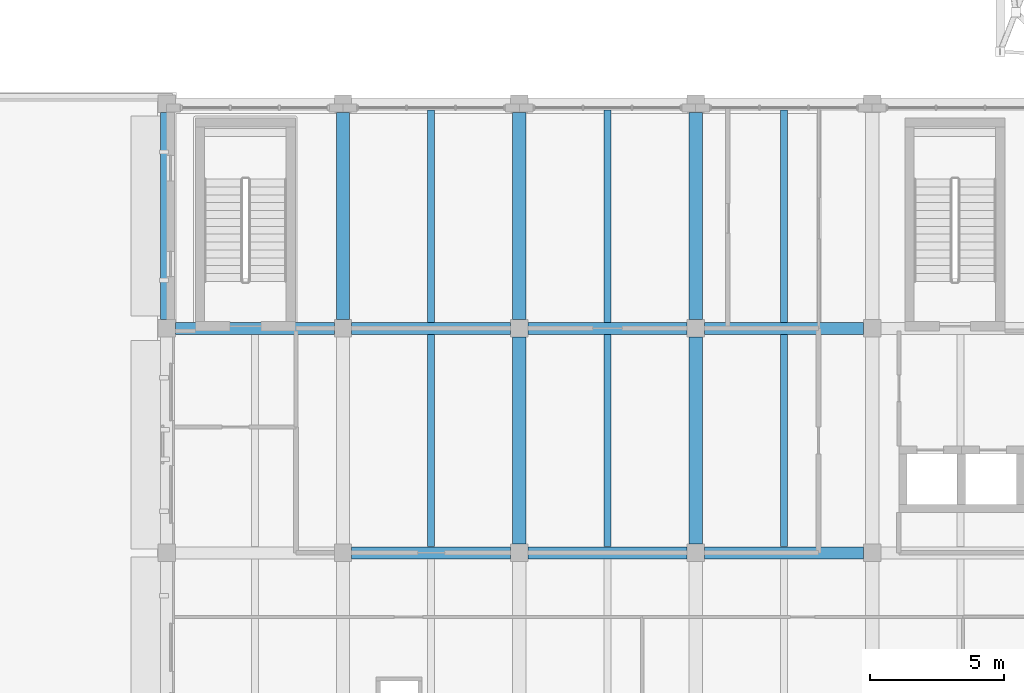
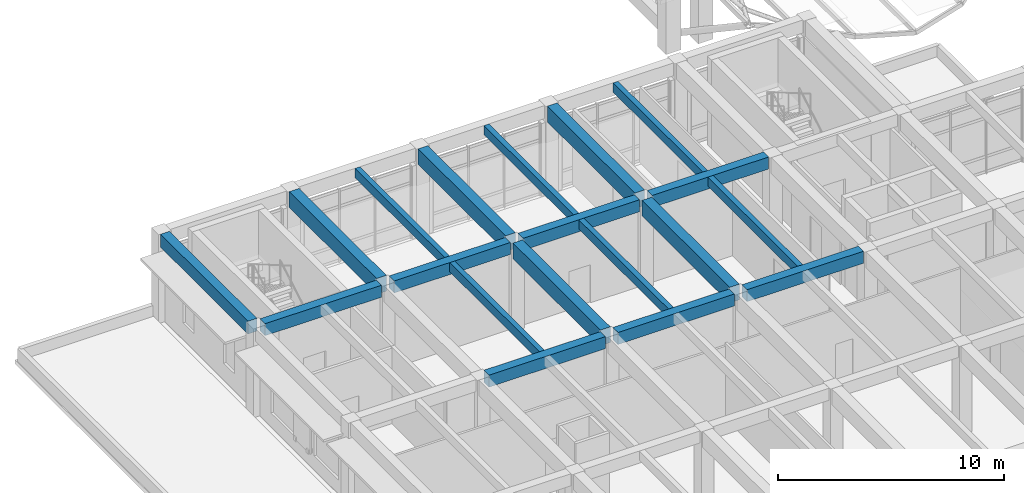
# One storey, part 7 of 79: 19 beams.
"""IFC4 building model written with IfcOpenShell, lengths in metres."""

import ifcopenshell
import ifcopenshell.guid

model = None  # the IFC model being written
_history = None  # IfcOwnerHistory: only IFC2X3 demands one
_inside = {}  # id of a spatial element -> (the spatial element, [elements in it])
_under = {}  # id of a project, library or spatial element -> (it, [spatial elements below it])
_declared = {}  # id of a project -> (the project, [libraries it declares])
_typed = {}  # id of a type object -> (the type object, [elements of that type])
_made_of = {}  # id of a material, layer set ... -> (it, [elements and type objects made of it])


def new_model(schema):
    """Start an empty IFC model of exactly this schema.

    Asked for "IFC4X3", IfcOpenShell would pick the latest addendum, in which some entities
    have other attributes; the version numbers below select the first issue.
    IFC2X3 requires an IfcOwnerHistory on every rooted entity: one is made here for all.
    """
    global model, _history
    if schema == "IFC4X3":
        model = ifcopenshell.file(schema_version=(4, 3, 0, 0))
    else:
        model = ifcopenshell.file(schema=schema)
    _inside.clear()
    _under.clear()
    _declared.clear()
    _typed.clear()
    _made_of.clear()
    _history = None
    if model.schema == "IFC2X3":
        org = make("IfcOrganization", Name="unknown")
        user = make(
            "IfcPersonAndOrganization",
            ThePerson=make("IfcPerson", FamilyName="unknown"),
            TheOrganization=org,
        )
        app = make(
            "IfcApplication",
            ApplicationDeveloper=org,
            Version="unknown",
            ApplicationFullName="unknown",
            ApplicationIdentifier="unknown",
        )
        _history = make(
            "IfcOwnerHistory",
            OwningUser=user,
            OwningApplication=app,
            ChangeAction="ADDED",
            CreationDate=0,
        )
    return model


def make(cls, **values):
    """One entity of the class cls with the attributes given. An attribute that is None is left unset."""
    return model.create_entity(
        cls, **{name: value for name, value in values.items() if value is not None}
    )


def rooted(cls, **values):
    """An entity with a GlobalId (a new one), such as an element, a storey or a relation."""
    return make(cls, GlobalId=ifcopenshell.guid.new(), OwnerHistory=_history, **values)


def si_unit(unit_type, name, prefix=None):
    """IfcSIUnit, for example si_unit("LENGTHUNIT", "METRE", prefix="MILLI")."""
    return make("IfcSIUnit", UnitType=unit_type, Prefix=prefix, Name=name)


def assignment(units):
    """IfcUnitAssignment: the units of a project."""
    return None if units is None else make("IfcUnitAssignment", Units=units)


def point(xyz):
    """IfcCartesianPoint."""
    return None if xyz is None else make("IfcCartesianPoint", Coordinates=xyz)


def direction(xyz):
    """IfcDirection."""
    return None if xyz is None else make("IfcDirection", DirectionRatios=xyz)


def frame(location, z_axis=None, x_axis=None):
    """IfcAxis2Placement3D, a coordinate frame: its origin and axes. An axis left out is left unset."""
    return make(
        "IfcAxis2Placement3D",
        Location=point(location),
        Axis=direction(z_axis),
        RefDirection=direction(x_axis),
    )


def frame_2d(location, x_axis=None):
    """IfcAxis2Placement2D, a coordinate frame in the plane: its origin and x axis."""
    return make(
        "IfcAxis2Placement2D", Location=point(location), RefDirection=direction(x_axis)
    )


def origin():
    """The frame at (0, 0, 0) with its axes left unset."""
    return frame((0.0, 0.0, 0.0))


def origin_2d():
    """The frame at (0, 0) in the plane with its x axis left unset."""
    return frame_2d((0.0, 0.0))


def place(relative_to, where):
    """IfcLocalPlacement: puts the frame where relative to a parent placement (None: the world)."""
    return make(
        "IfcLocalPlacement", PlacementRelTo=relative_to, RelativePlacement=where
    )


def context(
    kind, dimensions, precision=None, world=None, true_north=None, identifier=None
):
    """IfcGeometricRepresentationContext, for example the 3D "Model" context."""
    return make(
        "IfcGeometricRepresentationContext",
        ContextIdentifier=identifier,
        ContextType=kind,
        CoordinateSpaceDimension=dimensions,
        Precision=precision,
        WorldCoordinateSystem=world,
        TrueNorth=true_north,
    )


def subcontext(parent, identifier, kind, view, scale=None):
    """IfcGeometricRepresentationSubContext, for example "Body" below "Model"."""
    return make(
        "IfcGeometricRepresentationSubContext",
        ContextIdentifier=identifier,
        ContextType=kind,
        ParentContext=parent,
        TargetScale=scale,
        TargetView=view,
    )


def project(units=None, contexts=None):
    """IfcProject with its units and contexts."""
    return rooted(
        "IfcProject",
        Name="project",
        RepresentationContexts=contexts,
        UnitsInContext=assignment(units),
    )


def spatial(cls, under=None, at=None, **own):
    """A site, building, storey or space (cls), placed at a placement, below another one or the project."""
    s = rooted(cls, ObjectPlacement=at, **own)
    if under is not None:
        _under.setdefault(under.id(), (under, []))[1].append(s)
    return s


def profile(cls, at=None, kind="AREA", **sizes):
    """A parametric profile (cls). Its sizes go by their IFC names, for example OverallWidth=200.0."""
    return make(cls, ProfileType=kind, Position=at, **sizes)


def rectangle(**sizes):
    """IfcRectangleProfileDef."""
    return profile("IfcRectangleProfileDef", **sizes)


def extrude(swept, where, along, depth):
    """IfcExtrudedAreaSolid: the profile swept, set in the frame where, extruded along a direction by depth."""
    return make(
        "IfcExtrudedAreaSolid",
        SweptArea=swept,
        Position=where,
        ExtrudedDirection=direction(along),
        Depth=depth,
    )


def shape(context_of_items, identifier, shape_type, items):
    """IfcShapeRepresentation: the items that make up one representation, for example the "Body"."""
    return make(
        "IfcShapeRepresentation",
        ContextOfItems=context_of_items,
        RepresentationIdentifier=identifier,
        RepresentationType=shape_type,
        Items=items,
    )


def material(Name=None, Category=None):
    """IfcMaterial."""
    return make("IfcMaterial", Name=Name, Category=Category)


def material_profile(
    of_material, cross_section, Name=None, Category=None, Priority=None
):
    """IfcMaterialProfile: a cross section and its material."""
    return make(
        "IfcMaterialProfile",
        Name=Name,
        Material=of_material,
        Profile=cross_section,
        Priority=Priority,
        Category=Category,
    )


def profile_set(profiles, Name=None, composite=None):
    """IfcMaterialProfileSet."""
    return make(
        "IfcMaterialProfileSet",
        Name=Name,
        MaterialProfiles=profiles,
        CompositeProfile=composite,
    )


def made_of(thing, what):
    """Note that an element or type object is made of a material, layer set ...; save() writes the relation."""
    if what is not None:
        _made_of.setdefault(what.id(), (what, []))[1].append(thing)
    return thing


def type_object(cls, material=None, **own):
    """A type object (cls), such as IfcWallType, which elements share."""
    return made_of(rooted(cls, **own), material)


def element(
    cls,
    number,
    at=None,
    inside=None,
    cuts=None,
    type_object=None,
    material=None,
    context=None,
    identifier="Body",
    shape_type=None,
    held_by="IfcProductDefinitionShape",
    body=None,
    shapes=None,
    **own,
):
    """One element of the class cls, such as IfcWall. Its Tag is "e" and its number.

    at: its placement. inside: the storey or other place that contains it. cuts: it is an
    opening in that element (IfcRelVoidsElement). A single representation is given by context,
    identifier, shape_type and body (its items); several are given by shapes. held_by: the class
    of the entity that holds the representations. save() writes the other relations.
    """
    e = rooted(cls, Tag="e%d" % number, ObjectPlacement=at, **own)
    if body is not None:
        shapes = [shape(context, identifier, shape_type, body)]
    if shapes is not None:
        e.Representation = make(held_by, Representations=shapes)
    if inside is not None:
        _inside.setdefault(inside.id(), (inside, []))[1].append(e)
    if cuts is not None:
        rooted(
            "IfcRelVoidsElement", RelatingBuildingElement=cuts, RelatedOpeningElement=e
        )
    if type_object is not None:
        _typed.setdefault(type_object.id(), (type_object, []))[1].append(e)
    return made_of(e, material)


def aggregate(whole, parts):
    """IfcRelAggregates: a whole, such as a stair, and the parts it consists of."""
    return rooted("IfcRelAggregates", RelatingObject=whole, RelatedObjects=parts)


def save(model, path):
    """Write the relations noted so far, then the file.

    IfcRelAggregates (storeys below a building ...), IfcRelContainedInSpatialStructure (elements
    in a storey), IfcRelDefinesByType, IfcRelAssociatesMaterial and IfcRelDeclares: one each for
    every whole, place, type object, material and project.
    """
    for whole, parts in _under.values():
        aggregate(whole, parts)
    for where, things in _inside.values():
        rooted(
            "IfcRelContainedInSpatialStructure",
            RelatedElements=things,
            RelatingStructure=where,
        )
    for kind, things in _typed.values():
        rooted("IfcRelDefinesByType", RelatedObjects=things, RelatingType=kind)
    for what, things in _made_of.values():
        rooted("IfcRelAssociatesMaterial", RelatedObjects=things, RelatingMaterial=what)
    for by, libraries in _declared.values():
        rooted("IfcRelDeclares", RelatingContext=by, RelatedDefinitions=libraries)
    model.write(path)


model = new_model("IFC4")

# Units and contexts
model_context = context("Model", 3, precision=1e-05, world=origin(), true_north=direction((0.0, 1.0)))
body_context = subcontext(model_context, "Body", "Model", "MODEL_VIEW")
ifc_project = project(units=[si_unit("LENGTHUNIT", "METRE"), si_unit("AREAUNIT", "SQUARE_METRE"), si_unit("VOLUMEUNIT", "CUBIC_METRE"), si_unit("PLANEANGLEUNIT", "RADIAN"), si_unit("MASSUNIT", "GRAM", prefix="KILO")], contexts=[model_context])

# Site, building, storey
site_placement = place(None, origin())
site = spatial("IfcSite", under=ifc_project, at=site_placement, CompositionType="ELEMENT")
building_placement = place(site_placement, origin())
building = spatial("IfcBuilding", under=site, at=building_placement, Name="Kolvaren Faculty of Natural Sciences", CompositionType="ELEMENT")
storey_placement = place(building_placement, frame((0.0, 0.0, 10.199951171875)))
storey = spatial("IfcBuildingStorey", under=building, at=storey_placement, Name="L02", CompositionType="ELEMENT", Elevation=10.199951171875)

# Beams
ifc_material = material(Name="Concrete C35/45", Category="concrete")
ifc_material_profile_1 = material_profile(ifc_material, rectangle(XDim=0.449951171875, YDim=0.64990234375, at=origin_2d()), Name="RC BM 450x650")
ifc_profile_set_1 = profile_set([ifc_material_profile_1], Name="Concrete C35/45")
beam_type_1 = type_object("IfcBeamType", Name="GridBeam_450x650", PredefinedType="BEAM", material=ifc_profile_set_1)
for number, where, z_axis, x_axis, name in (
    (1, (13.72509765625, 25.39990234375, 4.47509765625), (1.0, 0.0, 0.0), (0.0, 1.0, 0.0), "L02 beam BM-65 on grid D"),
    (2, (20.324951171875, 25.39990234375, 4.47509765625), (1.0, 0.0, 0.0), (0.0, 1.0, 0.0), "L02 beam BM-65 on grid D"),
    (3, (26.925048828125, 25.39990234375, 4.47509765625), (1.0, 0.0, 0.0), (0.0, 1.0, 0.0), "L02 beam BM-65 on grid D"),
    (4, (7.125, 33.800048828125, 4.47509765625), (1.0, 0.0, 0.0), (0.0, 1.0, 0.0), "L02 beam BM-65 on grid E"),
    (5, (13.72509765625, 33.800048828125, 4.47509765625), (1.0, 0.0, 0.0), (0.0, 1.0, 0.0), "L02 beam BM-65 on grid E"),
    (6, (20.324951171875, 33.800048828125, 4.47509765625), (1.0, 0.0, 0.0), (0.0, 1.0, 0.0), "L02 beam BM-65 on grid E"),
    (7, (26.925048828125, 33.800048828125, 4.47509765625), (1.0, 0.0, 0.0), (0.0, 1.0, 0.0), "L02 beam BM-65 on grid E"),
):
    element("IfcBeam", number, at=place(storey_placement, frame(where, z_axis=z_axis, x_axis=x_axis)), inside=storey, type_object=beam_type_1, Name=name, PredefinedType="BEAM", context=body_context, shape_type="SweptSolid", body=[
        extrude(rectangle(XDim=0.449951171875, YDim=0.64990234375, at=origin_2d()), origin(), (0.0, 0.0, 1.0), 5.949951171875),
    ])
ifc_material_profile_2 = material_profile(ifc_material, rectangle(XDim=0.260009765625, YDim=0.5, at=origin_2d()), Name="RC JST 260x500")
ifc_profile_set_2 = profile_set([ifc_material_profile_2], Name="Concrete C35/45")
beam_type_2 = type_object("IfcBeamType", Name="LabRibJoist_260x500", PredefinedType="JOIST", material=ifc_profile_set_2)
beam_1_placement = place(storey_placement, frame((16.699951171875, 25.625, 4.550048828125), z_axis=(0.0, 1.0, 0.0), x_axis=(-1.0, 0.0, 0.0)))
element("IfcBeam", 8, at=beam_1_placement, inside=storey, type_object=beam_type_2, Name="L02 ribbed laboratory slab joist JS-50", PredefinedType="JOIST", context=body_context, shape_type="SweptSolid", body=[
    extrude(rectangle(XDim=0.260009765625, YDim=0.5, at=origin_2d()), origin(), (0.0, 0.0, 1.0), 7.949951171875),
])
beam_2_placement = place(storey_placement, frame((16.699951171875, 34.02490234375, 4.550048828125), z_axis=(0.0, 1.0, 0.0), x_axis=(-1.0, 0.0, 0.0)))
element("IfcBeam", 9, at=beam_2_placement, inside=storey, type_object=beam_type_2, Name="L02 ribbed laboratory slab joist JS-50", PredefinedType="JOIST", context=body_context, shape_type="SweptSolid", body=[
    extrude(rectangle(XDim=0.260009765625, YDim=0.5, at=origin_2d()), origin(), (0.0, 0.0, 1.0), 7.9501953125),
])
beam_3_placement = place(storey_placement, frame((23.300048828125, 25.625, 4.550048828125), z_axis=(0.0, 1.0, 0.0), x_axis=(-1.0, 0.0, 0.0)))
element("IfcBeam", 10, at=beam_3_placement, inside=storey, type_object=beam_type_2, Name="L02 ribbed laboratory slab joist JS-50", PredefinedType="JOIST", context=body_context, shape_type="SweptSolid", body=[
    extrude(rectangle(XDim=0.260009765625, YDim=0.5, at=origin_2d()), origin(), (0.0, 0.0, 1.0), 7.949951171875),
])
beam_4_placement = place(storey_placement, frame((23.300048828125, 34.02490234375, 4.550048828125), z_axis=(0.0, 1.0, 0.0), x_axis=(-1.0, 0.0, 0.0)))
element("IfcBeam", 11, at=beam_4_placement, inside=storey, type_object=beam_type_2, Name="L02 ribbed laboratory slab joist JS-50", PredefinedType="JOIST", context=body_context, shape_type="SweptSolid", body=[
    extrude(rectangle(XDim=0.260009765625, YDim=0.5, at=origin_2d()), origin(), (0.0, 0.0, 1.0), 7.9501953125),
])
beam_5_placement = place(storey_placement, frame((29.89990234375, 25.625, 4.550048828125), z_axis=(0.0, 1.0, 0.0), x_axis=(-1.0, 0.0, 0.0)))
element("IfcBeam", 12, at=beam_5_placement, inside=storey, type_object=beam_type_2, Name="L02 ribbed laboratory slab joist JS-50", PredefinedType="JOIST", context=body_context, shape_type="SweptSolid", body=[
    extrude(rectangle(XDim=0.260009765625, YDim=0.5, at=origin_2d()), origin(), (0.0, 0.0, 1.0), 7.949951171875),
])
beam_6_placement = place(storey_placement, frame((29.89990234375, 34.02490234375, 4.550048828125), z_axis=(0.0, 1.0, 0.0), x_axis=(-1.0, 0.0, 0.0)))
element("IfcBeam", 13, at=beam_6_placement, inside=storey, type_object=beam_type_2, Name="L02 ribbed laboratory slab joist JS-50", PredefinedType="JOIST", context=body_context, shape_type="SweptSolid", body=[
    extrude(rectangle(XDim=0.260009765625, YDim=0.5, at=origin_2d()), origin(), (0.0, 0.0, 1.0), 7.9501953125),
])
ifc_material_profile_3 = material_profile(ifc_material, rectangle(XDim=0.449951171875, YDim=0.699951171875, at=origin_2d()), Name="RC SP 450x700")
ifc_profile_set_3 = profile_set([ifc_material_profile_3], Name="Concrete C35/45")
beam_type_3 = type_object("IfcBeamType", Name="PerimeterSpandrel_450x700", PredefinedType="SPANDREL", material=ifc_profile_set_3)
beam_7_placement = place(storey_placement, frame((6.800048828125, 34.125, 4.449951171875), z_axis=(0.0, 1.0, 0.0), x_axis=(-1.0, 0.0, 0.0)))
element("IfcBeam", 14, at=beam_7_placement, inside=storey, type_object=beam_type_3, Name="L02 girder SP-70 on grid 2", PredefinedType="SPANDREL", context=body_context, shape_type="SweptSolid", body=[
    extrude(rectangle(XDim=0.449951171875, YDim=0.699951171875, at=origin_2d()), origin(), (0.0, 0.0, 1.0), 7.75),
])
ifc_material_profile_4 = material_profile(ifc_material, rectangle(XDim=0.5, YDim=0.85009765625, at=origin_2d()), Name="RC BM 500x850")
ifc_profile_set_4 = profile_set([ifc_material_profile_4], Name="Concrete C35/45")
beam_type_4 = type_object("IfcBeamType", Name="PrimaryGirder_500x850", PredefinedType="BEAM", material=ifc_profile_set_4)
for number, where, z_axis, x_axis, name in (
    (15, (13.39990234375, 34.125, 4.375), (0.0, 1.0, 0.0), (-1.0, 0.0, 0.0), "L02 girder BG-85 on grid 3"),
    (16, (20.0, 25.72509765625, 4.375), (0.0, 1.0, 0.0), (-1.0, 0.0, 0.0), "L02 girder BG-85 on grid 4"),
    (17, (20.0, 34.125, 4.375), (0.0, 1.0, 0.0), (-1.0, 0.0, 0.0), "L02 girder BG-85 on grid 4"),
    (18, (26.60009765625, 25.72509765625, 4.375), (0.0, 1.0, 0.0), (-1.0, 0.0, 0.0), "L02 girder BG-85 on grid 5"),
    (19, (26.60009765625, 34.125, 4.375), (0.0, 1.0, 0.0), (-1.0, 0.0, 0.0), "L02 girder BG-85 on grid 5"),
):
    element("IfcBeam", number, at=place(storey_placement, frame(where, z_axis=z_axis, x_axis=x_axis)), inside=storey, type_object=beam_type_4, Name=name, PredefinedType="BEAM", context=body_context, shape_type="SweptSolid", body=[
        extrude(rectangle(XDim=0.5, YDim=0.85009765625, at=origin_2d()), origin(), (0.0, 0.0, 1.0), 7.75),
    ])

save(model, "model.ifc")
